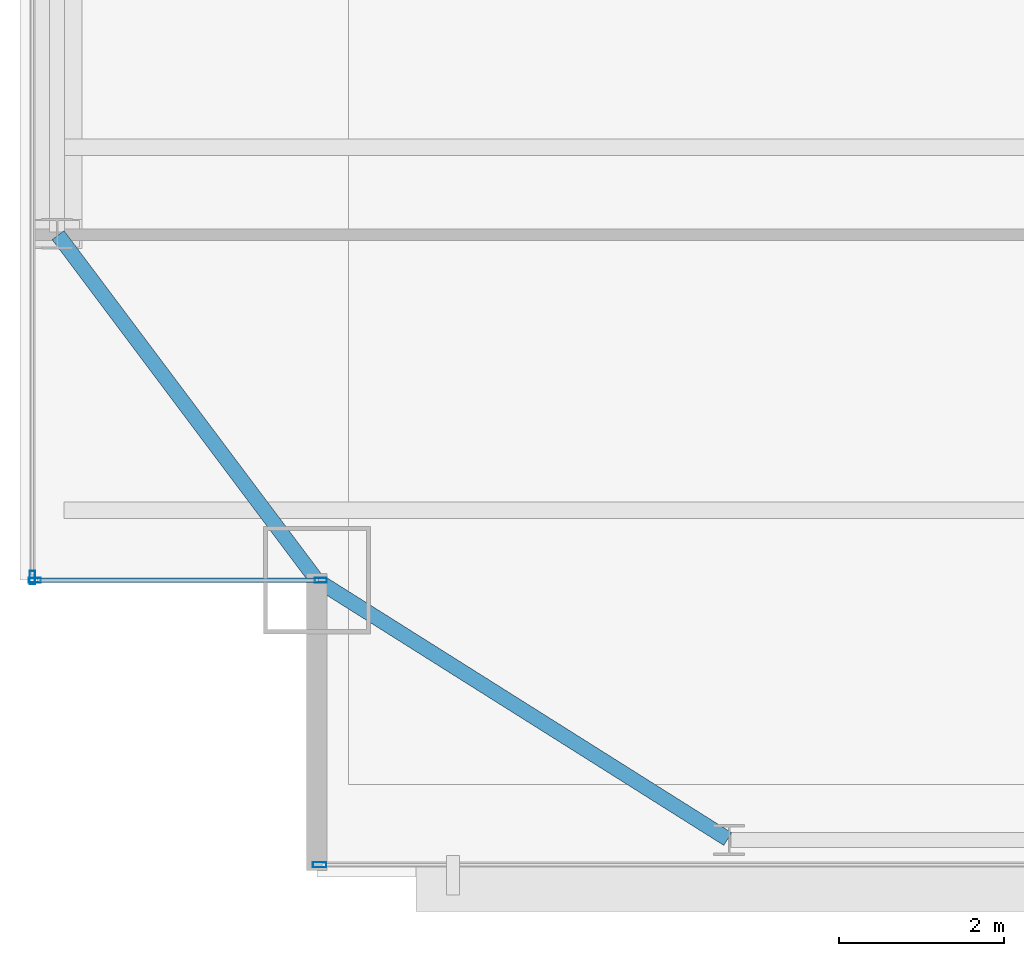
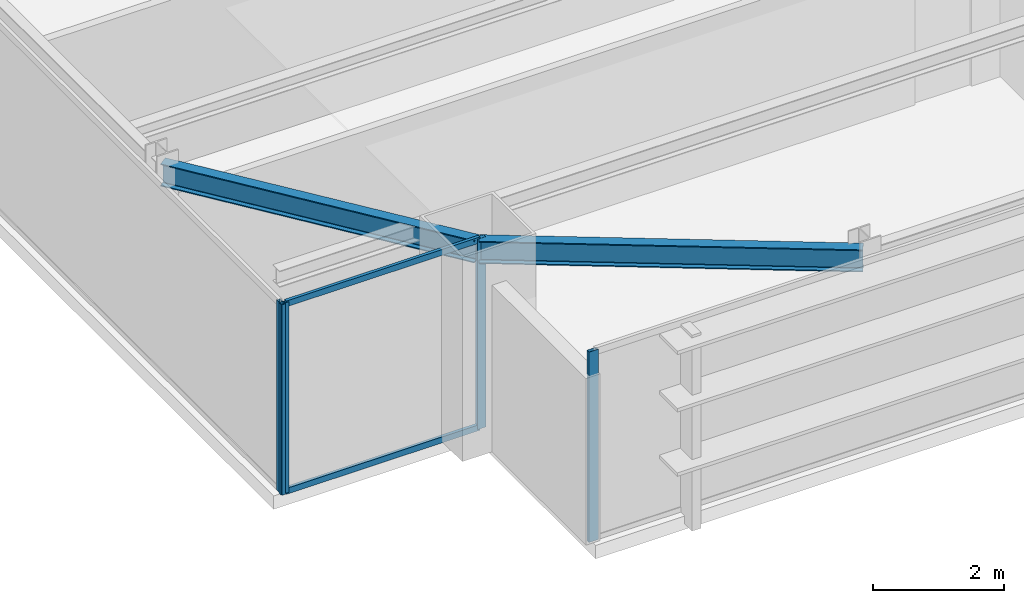
# One storey, part 4 of 30: 6 members, 2 beams, 3 elements without a shape of their own.
"""IFC4 building model written with IfcOpenShell, lengths in metres."""

import ifcopenshell
import ifcopenshell.guid

model = None  # the IFC model being written
_history = None  # IfcOwnerHistory: only IFC2X3 demands one
_inside = {}  # id of a spatial element -> (the spatial element, [elements in it])
_under = {}  # id of a project, library or spatial element -> (it, [spatial elements below it])
_declared = {}  # id of a project -> (the project, [libraries it declares])
_typed = {}  # id of a type object -> (the type object, [elements of that type])
_made_of = {}  # id of a material, layer set ... -> (it, [elements and type objects made of it])


def new_model(schema):
    """Start an empty IFC model of exactly this schema.

    Asked for "IFC4X3", IfcOpenShell would pick the latest addendum, in which some entities
    have other attributes; the version numbers below select the first issue.
    IFC2X3 requires an IfcOwnerHistory on every rooted entity: one is made here for all.
    """
    global model, _history
    if schema == "IFC4X3":
        model = ifcopenshell.file(schema_version=(4, 3, 0, 0))
    else:
        model = ifcopenshell.file(schema=schema)
    _inside.clear()
    _under.clear()
    _declared.clear()
    _typed.clear()
    _made_of.clear()
    _history = None
    if model.schema == "IFC2X3":
        org = make("IfcOrganization", Name="unknown")
        user = make(
            "IfcPersonAndOrganization",
            ThePerson=make("IfcPerson", FamilyName="unknown"),
            TheOrganization=org,
        )
        app = make(
            "IfcApplication",
            ApplicationDeveloper=org,
            Version="unknown",
            ApplicationFullName="unknown",
            ApplicationIdentifier="unknown",
        )
        _history = make(
            "IfcOwnerHistory",
            OwningUser=user,
            OwningApplication=app,
            ChangeAction="ADDED",
            CreationDate=0,
        )
    return model


def make(cls, **values):
    """One entity of the class cls with the attributes given. An attribute that is None is left unset."""
    return model.create_entity(
        cls, **{name: value for name, value in values.items() if value is not None}
    )


def rooted(cls, **values):
    """An entity with a GlobalId (a new one), such as an element, a storey or a relation."""
    return make(cls, GlobalId=ifcopenshell.guid.new(), OwnerHistory=_history, **values)


def si_unit(unit_type, name, prefix=None):
    """IfcSIUnit, for example si_unit("LENGTHUNIT", "METRE", prefix="MILLI")."""
    return make("IfcSIUnit", UnitType=unit_type, Prefix=prefix, Name=name)


def assignment(units):
    """IfcUnitAssignment: the units of a project."""
    return None if units is None else make("IfcUnitAssignment", Units=units)


def point(xyz):
    """IfcCartesianPoint."""
    return None if xyz is None else make("IfcCartesianPoint", Coordinates=xyz)


def direction(xyz):
    """IfcDirection."""
    return None if xyz is None else make("IfcDirection", DirectionRatios=xyz)


def frame(location, z_axis=None, x_axis=None):
    """IfcAxis2Placement3D, a coordinate frame: its origin and axes. An axis left out is left unset."""
    return make(
        "IfcAxis2Placement3D",
        Location=point(location),
        Axis=direction(z_axis),
        RefDirection=direction(x_axis),
    )


def frame_2d(location, x_axis=None):
    """IfcAxis2Placement2D, a coordinate frame in the plane: its origin and x axis."""
    return make(
        "IfcAxis2Placement2D", Location=point(location), RefDirection=direction(x_axis)
    )


def origin():
    """The frame at (0, 0, 0) with its axes left unset."""
    return frame((0.0, 0.0, 0.0))


def origin_2d():
    """The frame at (0, 0) in the plane with its x axis left unset."""
    return frame_2d((0.0, 0.0))


def place(relative_to, where):
    """IfcLocalPlacement: puts the frame where relative to a parent placement (None: the world)."""
    return make(
        "IfcLocalPlacement", PlacementRelTo=relative_to, RelativePlacement=where
    )


def context(
    kind, dimensions, precision=None, world=None, true_north=None, identifier=None
):
    """IfcGeometricRepresentationContext, for example the 3D "Model" context."""
    return make(
        "IfcGeometricRepresentationContext",
        ContextIdentifier=identifier,
        ContextType=kind,
        CoordinateSpaceDimension=dimensions,
        Precision=precision,
        WorldCoordinateSystem=world,
        TrueNorth=true_north,
    )


def subcontext(parent, identifier, kind, view, scale=None):
    """IfcGeometricRepresentationSubContext, for example "Body" below "Model"."""
    return make(
        "IfcGeometricRepresentationSubContext",
        ContextIdentifier=identifier,
        ContextType=kind,
        ParentContext=parent,
        TargetScale=scale,
        TargetView=view,
    )


def project(units=None, contexts=None):
    """IfcProject with its units and contexts."""
    return rooted(
        "IfcProject",
        Name="project",
        RepresentationContexts=contexts,
        UnitsInContext=assignment(units),
    )


def spatial(cls, under=None, at=None, **own):
    """A site, building, storey or space (cls), placed at a placement, below another one or the project."""
    s = rooted(cls, ObjectPlacement=at, **own)
    if under is not None:
        _under.setdefault(under.id(), (under, []))[1].append(s)
    return s


def profile(cls, at=None, kind="AREA", **sizes):
    """A parametric profile (cls). Its sizes go by their IFC names, for example OverallWidth=200.0."""
    return make(cls, ProfileType=kind, Position=at, **sizes)


def hollow_rectangle(**sizes):
    """IfcRectangleHollowProfileDef."""
    return profile("IfcRectangleHollowProfileDef", **sizes)


def i_section(**sizes):
    """IfcIShapeProfileDef."""
    return profile("IfcIShapeProfileDef", **sizes)


def extrude(swept, where, along, depth):
    """IfcExtrudedAreaSolid: the profile swept, set in the frame where, extruded along a direction by depth."""
    return make(
        "IfcExtrudedAreaSolid",
        SweptArea=swept,
        Position=where,
        ExtrudedDirection=direction(along),
        Depth=depth,
    )


def shape(context_of_items, identifier, shape_type, items):
    """IfcShapeRepresentation: the items that make up one representation, for example the "Body"."""
    return make(
        "IfcShapeRepresentation",
        ContextOfItems=context_of_items,
        RepresentationIdentifier=identifier,
        RepresentationType=shape_type,
        Items=items,
    )


def source(mapping_origin, context_of_items, identifier, shape_type, items):
    """IfcRepresentationMap: a shape defined once, which mapped items show again and again."""
    return make(
        "IfcRepresentationMap",
        MappingOrigin=mapping_origin,
        MappedRepresentation=shape(context_of_items, identifier, shape_type, items),
    )


def transform(
    local_origin,
    x_axis=None,
    y_axis=None,
    z_axis=None,
    scale=None,
    scale2=None,
    scale3=None,
    uniform=True,
):
    """IfcCartesianTransformationOperator3D, or its non-uniform kind. x_axis, y_axis, z_axis: its Axis1, 2, 3."""
    if uniform:
        return make(
            "IfcCartesianTransformationOperator3D",
            Axis1=direction(x_axis),
            Axis2=direction(y_axis),
            LocalOrigin=point(local_origin),
            Scale=scale,
            Axis3=direction(z_axis),
        )
    return make(
        "IfcCartesianTransformationOperator3DnonUniform",
        Axis1=direction(x_axis),
        Axis2=direction(y_axis),
        LocalOrigin=point(local_origin),
        Scale=scale,
        Axis3=direction(z_axis),
        Scale2=scale2,
        Scale3=scale3,
    )


def mapped(mapping_source, mapping_target):
    """IfcMappedItem: shows the shape of a source again, moved by a transform."""
    return make(
        "IfcMappedItem", MappingSource=mapping_source, MappingTarget=mapping_target
    )


def material(Name=None, Category=None):
    """IfcMaterial."""
    return make("IfcMaterial", Name=Name, Category=Category)


def layer(
    of_material, thickness, ventilated=None, Name=None, Category=None, Priority=None
):
    """IfcMaterialLayer: one layer of a wall or slab, of a material (None: an air gap)."""
    return make(
        "IfcMaterialLayer",
        Material=of_material,
        LayerThickness=thickness,
        IsVentilated=ventilated,
        Name=Name,
        Category=Category,
        Priority=Priority,
    )


def layer_set(layers, Name=None):
    """IfcMaterialLayerSet."""
    return make("IfcMaterialLayerSet", MaterialLayers=layers, LayerSetName=Name)


def material_profile(
    of_material, cross_section, Name=None, Category=None, Priority=None
):
    """IfcMaterialProfile: a cross section and its material."""
    return make(
        "IfcMaterialProfile",
        Name=Name,
        Material=of_material,
        Profile=cross_section,
        Priority=Priority,
        Category=Category,
    )


def profile_set(profiles, Name=None, composite=None):
    """IfcMaterialProfileSet."""
    return make(
        "IfcMaterialProfileSet",
        Name=Name,
        MaterialProfiles=profiles,
        CompositeProfile=composite,
    )


def made_of(thing, what):
    """Note that an element or type object is made of a material, layer set ...; save() writes the relation."""
    if what is not None:
        _made_of.setdefault(what.id(), (what, []))[1].append(thing)
    return thing


def type_object(cls, material=None, **own):
    """A type object (cls), such as IfcWallType, which elements share."""
    return made_of(rooted(cls, **own), material)


def type_shapes(of_type, sources):
    """Give a type object the sources (RepresentationMaps) that its elements show as mapped items."""
    of_type.RepresentationMaps = sources


def element(
    cls,
    number,
    at=None,
    inside=None,
    cuts=None,
    type_object=None,
    material=None,
    context=None,
    identifier="Body",
    shape_type=None,
    held_by="IfcProductDefinitionShape",
    body=None,
    shapes=None,
    **own,
):
    """One element of the class cls, such as IfcWall. Its Tag is "e" and its number.

    at: its placement. inside: the storey or other place that contains it. cuts: it is an
    opening in that element (IfcRelVoidsElement). A single representation is given by context,
    identifier, shape_type and body (its items); several are given by shapes. held_by: the class
    of the entity that holds the representations. save() writes the other relations.
    """
    e = rooted(cls, Tag="e%d" % number, ObjectPlacement=at, **own)
    if body is not None:
        shapes = [shape(context, identifier, shape_type, body)]
    if shapes is not None:
        e.Representation = make(held_by, Representations=shapes)
    if inside is not None:
        _inside.setdefault(inside.id(), (inside, []))[1].append(e)
    if cuts is not None:
        rooted(
            "IfcRelVoidsElement", RelatingBuildingElement=cuts, RelatedOpeningElement=e
        )
    if type_object is not None:
        _typed.setdefault(type_object.id(), (type_object, []))[1].append(e)
    return made_of(e, material)


def aggregate(whole, parts):
    """IfcRelAggregates: a whole, such as a stair, and the parts it consists of."""
    return rooted("IfcRelAggregates", RelatingObject=whole, RelatedObjects=parts)


def save(model, path):
    """Write the relations noted so far, then the file.

    IfcRelAggregates (storeys below a building ...), IfcRelContainedInSpatialStructure (elements
    in a storey), IfcRelDefinesByType, IfcRelAssociatesMaterial and IfcRelDeclares: one each for
    every whole, place, type object, material and project.
    """
    for whole, parts in _under.values():
        aggregate(whole, parts)
    for where, things in _inside.values():
        rooted(
            "IfcRelContainedInSpatialStructure",
            RelatedElements=things,
            RelatingStructure=where,
        )
    for kind, things in _typed.values():
        rooted("IfcRelDefinesByType", RelatedObjects=things, RelatingType=kind)
    for what, things in _made_of.values():
        rooted("IfcRelAssociatesMaterial", RelatedObjects=things, RelatingMaterial=what)
    for by, libraries in _declared.values():
        rooted("IfcRelDeclares", RelatingContext=by, RelatedDefinitions=libraries)
    model.write(path)


model = new_model("IFC4")

# Units and contexts
model_context = context("Model", 3, precision=1e-05, world=origin(), true_north=direction((0.0, 1.0)))
body_context = subcontext(model_context, "Body", "Model", "MODEL_VIEW")
ifc_project = project(units=[si_unit("LENGTHUNIT", "METRE"), si_unit("AREAUNIT", "SQUARE_METRE"), si_unit("VOLUMEUNIT", "CUBIC_METRE"), si_unit("PLANEANGLEUNIT", "RADIAN"), si_unit("MASSUNIT", "GRAM", prefix="KILO")], contexts=[model_context])

# Site, building, storey
site_placement = place(None, origin())
site = spatial("IfcSite", under=ifc_project, at=site_placement, CompositionType="ELEMENT")
building_placement = place(site_placement, origin())
building = spatial("IfcBuilding", under=site, at=building_placement, Name="Varnel Quay Broadcast Tower", CompositionType="ELEMENT")
storey_placement = place(building_placement, frame((0.0, 0.0, 180.0)))
storey = spatial("IfcBuildingStorey", under=building, at=storey_placement, Name="L44", CompositionType="ELEMENT", Elevation=180.0)

# Beams
ifc_material_1 = material(Name="Structural Steel CSA G40.21 350W", Category="steel")
ifc_material_profile_1 = material_profile(ifc_material_1, i_section(OverallWidth=0.180908203125, OverallDepth=0.4169921875, WebThickness=0.010986328125, FlangeThickness=0.018310546875, FilletRadius=0.011962890625, at=origin_2d()), Name="W410X85")
ifc_profile_set_1 = profile_set([ifc_material_profile_1], Name="Structural Steel CSA G40.21 350W")
beam_type = type_object("IfcBeamType", Name="Beam_W410X85", PredefinedType="SPANDREL", material=ifc_profile_set_1)
shared_shape_1 = source(origin(), body_context, "Body", "SweptSolid", [
    extrude(i_section(OverallWidth=0.180908203125, OverallDepth=0.4169921875, WebThickness=0.010986328125, FlangeThickness=0.018310546875, FilletRadius=0.011962890625, at=origin_2d()), origin(), (0.0, 0.0, 1.0), 5.869384765625),
])
beam_1_placement = place(storey_placement, frame((10.616943359375, 10.789306640625, 3.341552734375), z_axis=(0.846088328928, -0.533042718412, 0.0), x_axis=(0.533042718412, 0.846088328928, 0.0)))
element("IfcBeam", 1, at=beam_1_placement, inside=storey, type_object=beam_type, Name="L44 South Spandrel MC-SW-TC-S1", PredefinedType="SPANDREL", context=body_context, shape_type="MappedRepresentation", body=[
    mapped(shared_shape_1, transform((0.0, 0.0, 0.0), x_axis=(1.0, 0.0, 0.0), y_axis=(0.0, 1.0, 0.0), z_axis=(0.0, 0.0, 1.0), scale=1.0)),
])
shared_shape_2 = source(origin(), body_context, "Body", "SweptSolid", [
    extrude(i_section(OverallWidth=0.180908203125, OverallDepth=0.4169921875, WebThickness=0.010986328125, FlangeThickness=0.018310546875, FilletRadius=0.011962890625, at=origin_2d()), origin(), (0.0, 0.0, 1.0), 5.2099609375),
])
type_shapes(beam_type, [shared_shape_1, shared_shape_2])
beam_2_placement = place(storey_placement, frame((10.587890625, 10.81591796875, 3.341552734375), z_axis=(-0.6, 0.8, 0.0), x_axis=(-0.8, -0.6, 0.0)))
element("IfcBeam", 2, at=beam_2_placement, inside=storey, type_object=beam_type, Name="L44 West Spandrel MC-SW-TC-W1", PredefinedType="SPANDREL", context=body_context, shape_type="MappedRepresentation", body=[
    mapped(shared_shape_2, transform((0.0, 0.0, 0.0), x_axis=(1.0, 0.0, 0.0), y_axis=(0.0, 1.0, 0.0), z_axis=(0.0, 0.0, 1.0), scale=1.0)),
])

# Curtain wall, members
ifc_material_2 = material(Name="Anodised Bronze Aluminium 6063-T6", Category="aluminium")
ifc_layer_1 = layer(ifc_material_2, 0.18994140625, Name="Anodised Bronze Aluminium 6063-T6")
ifc_layer_set_1 = layer_set([ifc_layer_1], Name="Anodised Bronze Aluminium 6063-T6")
curtain_wall_type_1 = type_object("IfcCurtainWallType", Name="CW_NotchCorner", PredefinedType="NOTDEFINED", material=ifc_layer_set_1)
curtain_wall_1_placement = place(storey_placement, origin())
curtain_wall_1 = element("IfcCurtainWall", 3, at=curtain_wall_1_placement, inside=storey, type_object=curtain_wall_type_1, Name="L44 SW Notch Curtain Wall", PredefinedType="NOTDEFINED")
ifc_material_profile_2 = material_profile(ifc_material_2, hollow_rectangle(XDim=0.054931640625, YDim=0.110107421875, WallThickness=0.0029296875, at=origin_2d()), Name="ALU55X110X3")
ifc_profile_set_2 = profile_set([ifc_material_profile_2], Name="Anodised Bronze Aluminium 6063-T6")
member_type_1 = type_object("IfcMemberType", Name="Tran_CWS-04", PredefinedType="USERDEFINED", material=ifc_profile_set_2)
shared_shape_3 = source(origin(), body_context, "Body", "SweptSolid", [
    extrude(hollow_rectangle(XDim=0.054931640625, YDim=0.110107421875, WallThickness=0.0029296875, at=origin_2d()), origin(), (0.0, 0.0, 1.0), 3.41015625),
])
type_shapes(member_type_1, [shared_shape_3])
member_1_placement = place(storey_placement, frame((7.2099609375, 10.800048828125, 0.027587890625), z_axis=(1.0, 0.0, 0.0), x_axis=(0.0, 1.0, 0.0)))
member_1 = element("IfcMember", 4, at=member_1_placement, type_object=member_type_1, Name="CWS-04 transom 1.1", ObjectType="TRANSOM", PredefinedType="USERDEFINED", context=body_context, shape_type="MappedRepresentation", body=[
    mapped(shared_shape_3, transform((0.0, 0.0, 0.0), x_axis=(1.0, 0.0, 0.0), y_axis=(0.0, 1.0, 0.0), z_axis=(0.0, 0.0, 1.0), scale=1.0)),
])
member_2_placement = place(storey_placement, frame((7.2099609375, 10.800048828125, 3.5224609375), z_axis=(1.0, 0.0, 0.0), x_axis=(0.0, 1.0, 0.0)))
member_2 = element("IfcMember", 5, at=member_2_placement, type_object=member_type_1, Name="CWS-04 transom 1.2", ObjectType="TRANSOM", PredefinedType="USERDEFINED", context=body_context, shape_type="MappedRepresentation", body=[
    mapped(shared_shape_3, transform((0.0, 0.0, 0.0), x_axis=(1.0, 0.0, 0.0), y_axis=(0.0, 1.0, 0.0), z_axis=(0.0, 0.0, 1.0), scale=1.0)),
])
ifc_material_profile_3 = material_profile(ifc_material_2, hollow_rectangle(XDim=0.06005859375, YDim=0.14501953125, WallThickness=0.00341796875, at=origin_2d()), Name="ALU60X145X3.5")
ifc_profile_set_3 = profile_set([ifc_material_profile_3], Name="Anodised Bronze Aluminium 6063-T6")
member_type_2 = type_object("IfcMemberType", Name="Mull_CWS-04", PredefinedType="MULLION", material=ifc_profile_set_3)
shared_shape_4 = source(origin(), body_context, "Body", "SweptSolid", [
    extrude(hollow_rectangle(XDim=0.06005859375, YDim=0.14501953125, WallThickness=0.00341796875, at=origin_2d()), origin(), (0.0, 0.0, 1.0), 3.550048828125),
])
type_shapes(member_type_2, [shared_shape_4])
member_3_placement = place(storey_placement, frame((7.179931640625, 10.800048828125, 0.0), z_axis=(0.0, 0.0, 1.0), x_axis=(0.0, 1.0, 0.0)))
member_3 = element("IfcMember", 6, at=member_3_placement, type_object=member_type_2, Name="CWS-04 mullion 1", PredefinedType="MULLION", context=body_context, shape_type="MappedRepresentation", body=[
    mapped(shared_shape_4, transform((0.0, 0.0, 0.0), x_axis=(1.0, 0.0, 0.0), y_axis=(0.0, 1.0, 0.0), z_axis=(0.0, 0.0, 1.0), scale=1.0)),
])
member_4_placement = place(storey_placement, frame((10.64990234375, 10.800048828125, 0.0), z_axis=(0.0, 0.0, 1.0), x_axis=(0.0, 1.0, 0.0)))
member_4 = element("IfcMember", 7, at=member_4_placement, type_object=member_type_2, Name="CWS-04 mullion 2", PredefinedType="MULLION", context=body_context, shape_type="MappedRepresentation", body=[
    mapped(shared_shape_4, transform((0.0, 0.0, 0.0), x_axis=(1.0, 0.0, 0.0), y_axis=(0.0, 1.0, 0.0), z_axis=(0.0, 0.0, 1.0), scale=1.0)),
])
aggregate(curtain_wall_1, [member_3, member_4, member_1, member_2])

# Curtain wall, member
ifc_layer_2 = layer(ifc_material_2, 0.18994140625, Name="Anodised Bronze Aluminium 6063-T6")
ifc_layer_set_2 = layer_set([ifc_layer_2], Name="Anodised Bronze Aluminium 6063-T6")
curtain_wall_type_2 = type_object("IfcCurtainWallType", Name="CW_UpperTower", PredefinedType="NOTDEFINED", material=ifc_layer_set_2)
curtain_wall_2_placement = place(storey_placement, origin())
curtain_wall_2 = element("IfcCurtainWall", 8, at=curtain_wall_2_placement, inside=storey, type_object=curtain_wall_type_2, Name="L44 South Unitised Curtain Wall 1", PredefinedType="NOTDEFINED")
ifc_material_profile_4 = material_profile(ifc_material_2, hollow_rectangle(XDim=0.06494140625, YDim=0.1650390625, WallThickness=0.00341796875, at=origin_2d()), Name="ALU65X165X3.5")
ifc_profile_set_4 = profile_set([ifc_material_profile_4], Name="Anodised Bronze Aluminium 6063-T6")
member_type_3 = type_object("IfcMemberType", Name="Mull_CWS-03", PredefinedType="MULLION", material=ifc_profile_set_4)
shared_shape_5 = source(origin(), body_context, "Body", "SweptSolid", [
    extrude(hollow_rectangle(XDim=0.06494140625, YDim=0.1650390625, WallThickness=0.00341796875, at=origin_2d()), origin(), (0.0, 0.0, 1.0), 3.550048828125),
])
type_shapes(member_type_3, [shared_shape_5])
member_5_placement = place(storey_placement, frame((10.632568359375, 7.35009765625, 0.0), z_axis=(0.0, 0.0, 1.0), x_axis=(0.0, 1.0, 0.0)))
member_5 = element("IfcMember", 9, at=member_5_placement, type_object=member_type_3, Name="CWS-03 mullion 1", PredefinedType="MULLION", context=body_context, shape_type="MappedRepresentation", body=[
    mapped(shared_shape_5, transform((0.0, 0.0, 0.0), x_axis=(1.0, 0.0, 0.0), y_axis=(0.0, 1.0, 0.0), z_axis=(0.0, 0.0, 1.0), scale=1.0)),
])
aggregate(curtain_wall_2, [member_5])

curtain_wall_3_placement = place(storey_placement, origin())
curtain_wall_3 = element("IfcCurtainWall", 10, at=curtain_wall_3_placement, inside=storey, type_object=curtain_wall_type_2, Name="L44 West Unitised Curtain Wall", PredefinedType="NOTDEFINED")
member_6_placement = place(storey_placement, frame((7.14990234375, 10.83251953125, 0.0), z_axis=(0.0, 0.0, 1.0), x_axis=(-1.0, 0.0, 0.0)))
member_6 = element("IfcMember", 11, at=member_6_placement, type_object=member_type_3, Name="CWS-03 mullion 1", PredefinedType="MULLION", context=body_context, shape_type="MappedRepresentation", body=[
    mapped(shared_shape_5, transform((0.0, 0.0, 0.0), x_axis=(1.0, 0.0, 0.0), y_axis=(0.0, 1.0, 0.0), z_axis=(0.0, 0.0, 1.0), scale=1.0)),
])
aggregate(curtain_wall_3, [member_6])

save(model, "model.ifc")
